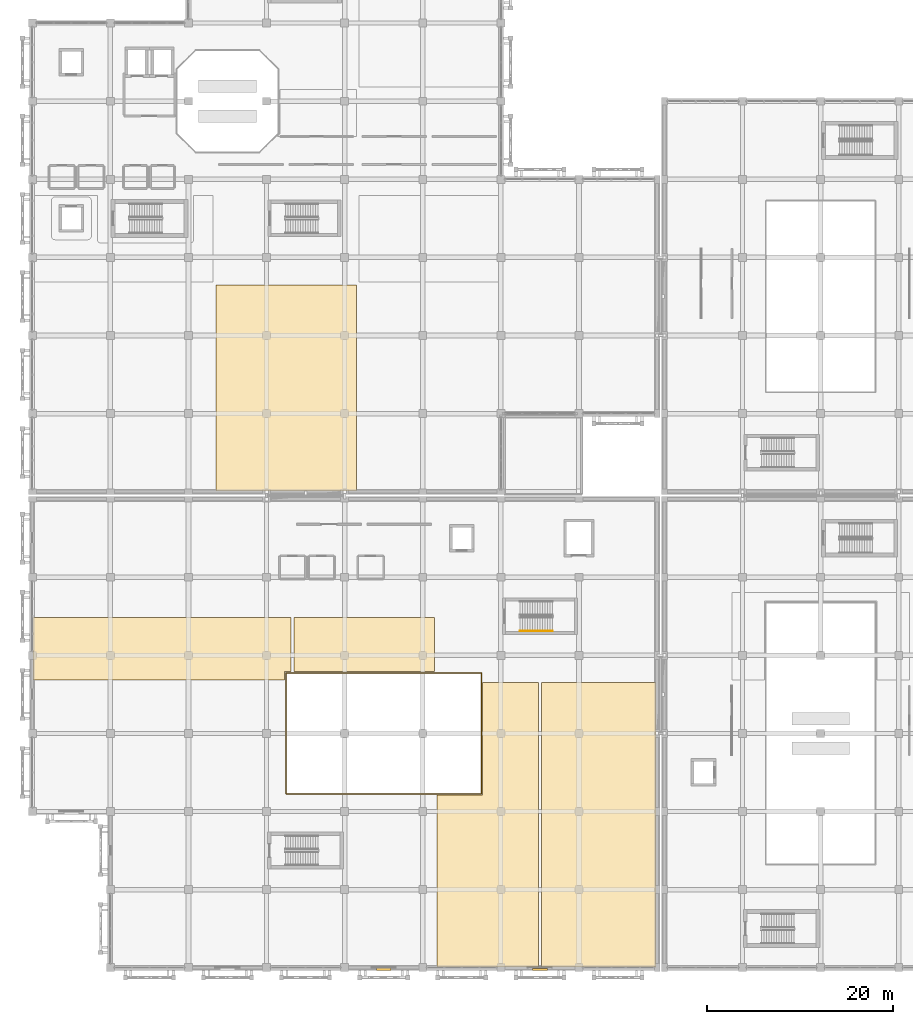
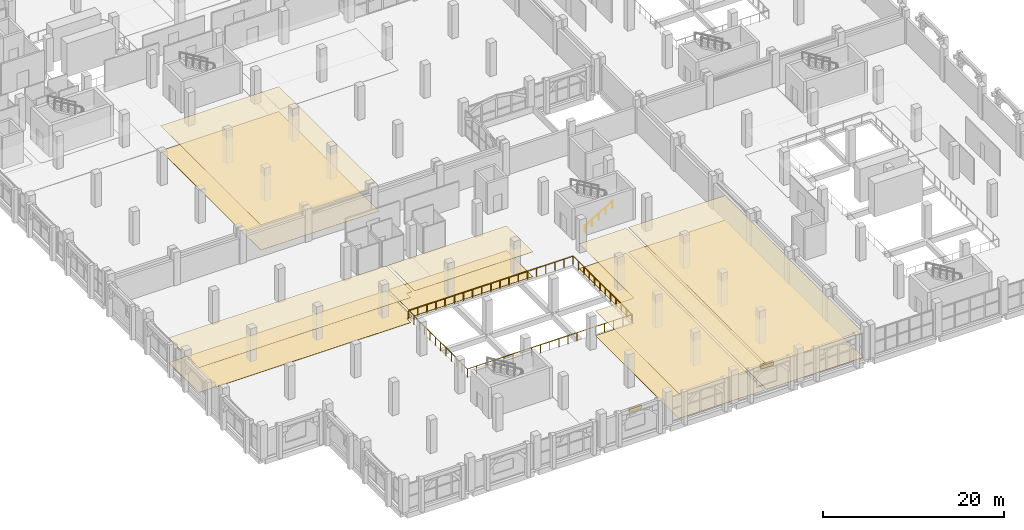
# One storey, part 125 of 137: 10 coverings, 2 railings, 2 shading devices.
"""IFC4 building model written with IfcOpenShell, lengths in metres."""

from ifc_helpers import new_model, si_unit, direction, frame, origin, origin_2d, place, context, subcontext, project, spatial, polyline, rectangle, circle, outline, extrude, material, layer, layer_set, type_object, element, save


model = new_model("IFC4")

# Units and contexts
model_context = context("Model", 3, precision=1e-05, world=origin(), true_north=direction((0.0, 1.0)))
body_context = subcontext(model_context, "Body", "Model", "MODEL_VIEW")
ifc_project = project(units=[si_unit("LENGTHUNIT", "METRE"), si_unit("AREAUNIT", "SQUARE_METRE"), si_unit("VOLUMEUNIT", "CUBIC_METRE"), si_unit("PLANEANGLEUNIT", "RADIAN"), si_unit("MASSUNIT", "GRAM", prefix="KILO")], contexts=[model_context])

# Site, building, storey
site_placement = place(None, origin())
site = spatial("IfcSite", under=ifc_project, at=site_placement, CompositionType="ELEMENT")
building_placement = place(site_placement, origin())
building = spatial("IfcBuilding", under=site, at=building_placement, Name="Xazarin Passage Department Store", CompositionType="ELEMENT")
storey_placement = place(building_placement, frame((0.0, 0.0, 5.39990234375)))
storey = spatial("IfcBuildingStorey", under=building, at=storey_placement, Name="L01", CompositionType="ELEMENT", Elevation=5.39990234375)

# Coverings
ifc_material_1 = material(Name="Acoustic mineral ceiling")
ifc_layer_1 = layer(ifc_material_1, 0.030029296875)
ifc_layer_set_1 = layer_set([ifc_layer_1], Name="Acoustic mineral ceiling")
covering_type_1 = type_object("IfcCoveringType", Name="ARC-COV-CLG030", PredefinedType="CEILING", material=ifc_layer_set_1)
covering_1_placement = place(storey_placement, frame((0.0, 0.0, 3.3701171875)))
element("IfcCovering", 1, at=covering_1_placement, inside=storey, type_object=covering_type_1, Name="L01 Fashion Gallery Acoustic Ceiling", PredefinedType="CEILING", context=body_context, shape_type="SweptSolid", body=[
    extrude(outline(polyline([(19.75, 51.300048828125), (34.85009765625, 51.300048828125), (34.85009765625, 73.449951171875), (19.75, 73.449951171875), (19.75, 51.300048828125)])), origin(), (0.0, 0.0, 1.0), 0.030029296875),
])
covering_2_placement = place(storey_placement, frame((0.0, 0.0, 3.35009765625)))
element("IfcCovering", 2, at=covering_2_placement, inside=storey, type_object=covering_type_1, Name="L01 Tea House Gallery Acoustic Ceiling", PredefinedType="CEILING", context=body_context, shape_type="SweptSolid", body=[
    extrude(outline(polyline([(27.14990234375, 30.949951171875), (27.14990234375, 31.85009765625), (27.85009765625, 31.85009765625), (27.85009765625, 37.64990234375), (0.10009765625, 37.64990234375), (0.10009765625, 30.949951171875), (27.14990234375, 30.949951171875)])), origin(), (0.0, 0.0, 1.0), 0.030029296875),
])
covering_3_placement = place(storey_placement, frame((0.0, 0.0, 3.35009765625)))
element("IfcCovering", 3, at=covering_3_placement, inside=storey, type_object=covering_type_1, Name="L01 Artisan Cheese and Olive Salon Acoustic Ceiling", PredefinedType="CEILING", context=body_context, shape_type="SweptSolid", body=[
    extrude(outline(polyline([(48.449951171875, 18.550048828125), (43.550048828125, 18.550048828125), (43.550048828125, 0.10009765625), (54.449951171875, 0.10009765625), (54.449951171875, 30.64990234375), (48.449951171875, 30.64990234375), (48.449951171875, 18.550048828125)])), origin(), (0.0, 0.0, 1.0), 0.030029296875),
])
ifc_layer_2 = layer(ifc_material_1, 0.0400390625)
ifc_layer_set_2 = layer_set([ifc_layer_2], Name="Acoustic mineral ceiling")
covering_type_2 = type_object("IfcCoveringType", Name="ARC-COV-CLG040", PredefinedType="CEILING", material=ifc_layer_set_2)
covering_4_placement = place(storey_placement, frame((0.0, 0.0, 3.340087890625)))
element("IfcCovering", 4, at=covering_4_placement, inside=storey, type_object=covering_type_2, Name="L01 Culinary Market Acoustic Ceiling", PredefinedType="CEILING", context=body_context, shape_type="SweptSolid", body=[
    extrude(outline(polyline([(28.14990234375, 31.85009765625), (43.25, 31.85009765625), (43.25, 37.64990234375), (28.14990234375, 37.64990234375), (28.14990234375, 31.85009765625)])), origin(), (0.0, 0.0, 1.0), 0.0400390625),
])
covering_5_placement = place(storey_placement, frame((0.0, 0.0, 3.340087890625)))
element("IfcCovering", 5, at=covering_5_placement, inside=storey, type_object=covering_type_2, Name="L01 Tea House Gallery Acoustic Ceiling", PredefinedType="CEILING", context=body_context, shape_type="SweptSolid", body=[
    extrude(outline(polyline([(54.75, 0.10009765625), (67.10009765625, 0.10009765625), (67.10009765625, 30.64990234375), (54.75, 30.64990234375), (54.75, 0.10009765625)])), origin(), (0.0, 0.0, 1.0), 0.0400390625),
])
ifc_material_2 = material(Name="Terrazzo stone flooring", Category="masonry")
ifc_layer_3 = layer(ifc_material_2, 0.02490234375)
ifc_layer_set_3 = layer_set([ifc_layer_3], Name="Terrazzo stone flooring")
covering_type_3 = type_object("IfcCoveringType", Name="ARC-COV-FLR025", PredefinedType="FLOORING", material=ifc_layer_set_3)
covering_6_placement = place(storey_placement, origin())
element("IfcCovering", 6, at=covering_6_placement, inside=storey, type_object=covering_type_3, Name="L01 Fashion Gallery Terrazzo Flooring", PredefinedType="FLOORING", context=body_context, shape_type="SweptSolid", body=[
    extrude(outline(polyline([(19.75, 51.300048828125), (34.85009765625, 51.300048828125), (34.85009765625, 73.449951171875), (19.75, 73.449951171875), (19.75, 51.300048828125)])), origin(), (0.0, 0.0, 1.0), 0.025146484375),
])
covering_7_placement = place(storey_placement, origin())
element("IfcCovering", 7, at=covering_7_placement, inside=storey, type_object=covering_type_3, Name="L01 Tea House Gallery Terrazzo Flooring", PredefinedType="FLOORING", context=body_context, shape_type="SweptSolid", body=[
    extrude(outline(polyline([(27.14990234375, 30.949951171875), (27.14990234375, 31.85009765625), (27.85009765625, 31.85009765625), (27.85009765625, 37.64990234375), (0.10009765625, 37.64990234375), (0.10009765625, 30.949951171875), (27.14990234375, 30.949951171875)])), origin(), (0.0, 0.0, 1.0), 0.025146484375),
])
covering_8_placement = place(storey_placement, origin())
element("IfcCovering", 8, at=covering_8_placement, inside=storey, type_object=covering_type_3, Name="L01 Artisan Cheese and Olive Salon Terrazzo Flooring", PredefinedType="FLOORING", context=body_context, shape_type="SweptSolid", body=[
    extrude(outline(polyline([(48.449951171875, 18.550048828125), (43.550048828125, 18.550048828125), (43.550048828125, 0.10009765625), (54.449951171875, 0.10009765625), (54.449951171875, 30.64990234375), (48.449951171875, 30.64990234375), (48.449951171875, 18.550048828125)])), origin(), (0.0, 0.0, 1.0), 0.025146484375),
])
ifc_layer_4 = layer(ifc_material_2, 0.034912109375)
ifc_layer_set_4 = layer_set([ifc_layer_4], Name="Terrazzo stone flooring")
covering_type_4 = type_object("IfcCoveringType", Name="ARC-COV-FLR035", PredefinedType="FLOORING", material=ifc_layer_set_4)
covering_9_placement = place(storey_placement, origin())
element("IfcCovering", 9, at=covering_9_placement, inside=storey, type_object=covering_type_4, Name="L01 Culinary Market Terrazzo Flooring", PredefinedType="FLOORING", context=body_context, shape_type="SweptSolid", body=[
    extrude(outline(polyline([(28.14990234375, 31.85009765625), (43.25, 31.85009765625), (43.25, 37.64990234375), (28.14990234375, 37.64990234375), (28.14990234375, 31.85009765625)])), origin(), (0.0, 0.0, 1.0), 0.03515625),
])
covering_10_placement = place(storey_placement, origin())
element("IfcCovering", 10, at=covering_10_placement, inside=storey, type_object=covering_type_4, Name="L01 Tea House Gallery Terrazzo Flooring", PredefinedType="FLOORING", context=body_context, shape_type="SweptSolid", body=[
    extrude(outline(polyline([(54.75, 0.10009765625), (67.10009765625, 0.10009765625), (67.10009765625, 30.64990234375), (54.75, 30.64990234375), (54.75, 0.10009765625)])), origin(), (0.0, 0.0, 1.0), 0.03515625),
])

# Railings
ifc_material_3 = material(Name="Low-E laminated safety glass", Category="glass")
railing_type_1 = type_object("IfcRailingType", Name="ARC-RL-BAL115", PredefinedType="BALUSTRADE", material=ifc_material_3)
railing_1_placement = place(storey_placement, frame((27.300048828125, 18.699951171875, 0.0)))
element("IfcRailing", 11, at=railing_1_placement, inside=storey, type_object=railing_type_1, Name="L01 Void Edge Balustrade 0004", PredefinedType="BALUSTRADE", context=body_context, shape_type="SweptSolid", body=[
    extrude(circle(Radius=0.02392578125, at=origin_2d()), frame((0.03125, 0.0, 1.1259765625), z_axis=(1.0, 0.0, 0.0), x_axis=(0.0, 1.0, 0.0)), (0.0, 0.0, 1.0), 20.9375),
    extrude(circle(Radius=0.02392578125, at=origin_2d()), frame((21.0, 0.03125, 1.1259765625), z_axis=(0.0, 1.0, 0.0), x_axis=(-1.0, 0.0, 0.0)), (0.0, 0.0, 1.0), 12.9375),
    extrude(circle(Radius=0.02392578125, at=origin_2d()), frame((20.96875, 13.0, 1.1259765625), z_axis=(-1.0, 0.0, 0.0), x_axis=(0.0, -1.0, 0.0)), (0.0, 0.0, 1.0), 20.9375),
    extrude(circle(Radius=0.02392578125, at=origin_2d()), frame((0.0, 12.96875, 1.1259765625), z_axis=(0.0, -1.0, 0.0), x_axis=(1.0, 0.0, 0.0)), (0.0, 0.0, 1.0), 12.9375),
    extrude(circle(Radius=0.02099609375, at=origin_2d()), origin(), (0.0, 0.0, 1.0), 1.1015625),
    extrude(circle(Radius=0.02099609375, at=origin_2d()), frame((1.166748046875, 0.0, 0.0)), (0.0, 0.0, 1.0), 1.1015625),
    extrude(circle(Radius=0.02099609375, at=origin_2d()), frame((2.333251953125, 0.0, 0.0)), (0.0, 0.0, 1.0), 1.1015625),
    extrude(circle(Radius=0.02099609375, at=origin_2d()), frame((3.5, 0.0, 0.0)), (0.0, 0.0, 1.0), 1.1015625),
    extrude(circle(Radius=0.02099609375, at=origin_2d()), frame((4.666748046875, 0.0, 0.0)), (0.0, 0.0, 1.0), 1.1015625),
    extrude(circle(Radius=0.02099609375, at=origin_2d()), frame((5.833251953125, 0.0, 0.0)), (0.0, 0.0, 1.0), 1.1015625),
    extrude(circle(Radius=0.02099609375, at=origin_2d()), frame((7.0, 0.0, 0.0)), (0.0, 0.0, 1.0), 1.1015625),
    extrude(circle(Radius=0.02099609375, at=origin_2d()), frame((8.166748046875, 0.0, 0.0)), (0.0, 0.0, 1.0), 1.1015625),
    extrude(circle(Radius=0.02099609375, at=origin_2d()), frame((9.333251953125, 0.0, 0.0)), (0.0, 0.0, 1.0), 1.1015625),
    extrude(circle(Radius=0.02099609375, at=origin_2d()), frame((10.5, 0.0, 0.0)), (0.0, 0.0, 1.0), 1.1015625),
    extrude(circle(Radius=0.02099609375, at=origin_2d()), frame((11.666748046875, 0.0, 0.0)), (0.0, 0.0, 1.0), 1.1015625),
    extrude(circle(Radius=0.02099609375, at=origin_2d()), frame((12.833251953125, 0.0, 0.0)), (0.0, 0.0, 1.0), 1.1015625),
    extrude(circle(Radius=0.02099609375, at=origin_2d()), frame((14.0, 0.0, 0.0)), (0.0, 0.0, 1.0), 1.1015625),
    extrude(circle(Radius=0.02099609375, at=origin_2d()), frame((15.166748046875, 0.0, 0.0)), (0.0, 0.0, 1.0), 1.1015625),
    extrude(circle(Radius=0.02099609375, at=origin_2d()), frame((16.333251953125, 0.0, 0.0)), (0.0, 0.0, 1.0), 1.1015625),
    extrude(circle(Radius=0.02099609375, at=origin_2d()), frame((17.5, 0.0, 0.0)), (0.0, 0.0, 1.0), 1.1015625),
    extrude(circle(Radius=0.02099609375, at=origin_2d()), frame((18.666748046875, 0.0, 0.0)), (0.0, 0.0, 1.0), 1.1015625),
    extrude(circle(Radius=0.02099609375, at=origin_2d()), frame((19.833251953125, 0.0, 0.0)), (0.0, 0.0, 1.0), 1.1015625),
    extrude(circle(Radius=0.02099609375, at=origin_2d()), frame((21.0, 0.0, 0.0)), (0.0, 0.0, 1.0), 1.1015625),
    extrude(circle(Radius=0.02099609375, at=origin_2d()), frame((21.0, 1.181884765625, 0.0)), (0.0, 0.0, 1.0), 1.1015625),
    extrude(circle(Radius=0.02099609375, at=origin_2d()), frame((21.0, 2.363525390625, 0.0)), (0.0, 0.0, 1.0), 1.1015625),
    extrude(circle(Radius=0.02099609375, at=origin_2d()), frame((21.0, 3.54541015625, 0.0)), (0.0, 0.0, 1.0), 1.1015625),
    extrude(circle(Radius=0.02099609375, at=origin_2d()), frame((21.0, 4.727294921875, 0.0)), (0.0, 0.0, 1.0), 1.1015625),
    extrude(circle(Radius=0.02099609375, at=origin_2d()), frame((21.0, 5.9091796875, 0.0)), (0.0, 0.0, 1.0), 1.1015625),
    extrude(circle(Radius=0.02099609375, at=origin_2d()), frame((21.0, 7.0908203125, 0.0)), (0.0, 0.0, 1.0), 1.1015625),
    extrude(circle(Radius=0.02099609375, at=origin_2d()), frame((21.0, 8.272705078125, 0.0)), (0.0, 0.0, 1.0), 1.1015625),
    extrude(circle(Radius=0.02099609375, at=origin_2d()), frame((21.0, 9.45458984375, 0.0)), (0.0, 0.0, 1.0), 1.1015625),
    extrude(circle(Radius=0.02099609375, at=origin_2d()), frame((21.0, 10.636474609375, 0.0)), (0.0, 0.0, 1.0), 1.1015625),
    extrude(circle(Radius=0.02099609375, at=origin_2d()), frame((21.0, 11.818115234375, 0.0)), (0.0, 0.0, 1.0), 1.1015625),
    extrude(circle(Radius=0.02099609375, at=origin_2d()), frame((21.0, 13.0, 0.0)), (0.0, 0.0, 1.0), 1.1015625),
    extrude(circle(Radius=0.02099609375, at=origin_2d()), frame((19.833251953125, 13.0, 0.0)), (0.0, 0.0, 1.0), 1.1015625),
    extrude(circle(Radius=0.02099609375, at=origin_2d()), frame((18.666748046875, 13.0, 0.0)), (0.0, 0.0, 1.0), 1.1015625),
    extrude(circle(Radius=0.02099609375, at=origin_2d()), frame((17.5, 13.0, 0.0)), (0.0, 0.0, 1.0), 1.1015625),
    extrude(circle(Radius=0.02099609375, at=origin_2d()), frame((16.333251953125, 13.0, 0.0)), (0.0, 0.0, 1.0), 1.1015625),
    extrude(circle(Radius=0.02099609375, at=origin_2d()), frame((15.166748046875, 13.0, 0.0)), (0.0, 0.0, 1.0), 1.1015625),
    extrude(circle(Radius=0.02099609375, at=origin_2d()), frame((14.0, 13.0, 0.0)), (0.0, 0.0, 1.0), 1.1015625),
    extrude(circle(Radius=0.02099609375, at=origin_2d()), frame((12.833251953125, 13.0, 0.0)), (0.0, 0.0, 1.0), 1.1015625),
    extrude(circle(Radius=0.02099609375, at=origin_2d()), frame((11.666748046875, 13.0, 0.0)), (0.0, 0.0, 1.0), 1.1015625),
    extrude(circle(Radius=0.02099609375, at=origin_2d()), frame((10.5, 13.0, 0.0)), (0.0, 0.0, 1.0), 1.1015625),
    extrude(circle(Radius=0.02099609375, at=origin_2d()), frame((9.333251953125, 13.0, 0.0)), (0.0, 0.0, 1.0), 1.1015625),
    extrude(circle(Radius=0.02099609375, at=origin_2d()), frame((8.166748046875, 13.0, 0.0)), (0.0, 0.0, 1.0), 1.1015625),
    extrude(circle(Radius=0.02099609375, at=origin_2d()), frame((7.0, 13.0, 0.0)), (0.0, 0.0, 1.0), 1.1015625),
    extrude(circle(Radius=0.02099609375, at=origin_2d()), frame((5.833251953125, 13.0, 0.0)), (0.0, 0.0, 1.0), 1.1015625),
    extrude(circle(Radius=0.02099609375, at=origin_2d()), frame((4.666748046875, 13.0, 0.0)), (0.0, 0.0, 1.0), 1.1015625),
    extrude(circle(Radius=0.02099609375, at=origin_2d()), frame((3.5, 13.0, 0.0)), (0.0, 0.0, 1.0), 1.1015625),
    extrude(circle(Radius=0.02099609375, at=origin_2d()), frame((2.333251953125, 13.0, 0.0)), (0.0, 0.0, 1.0), 1.1015625),
    extrude(circle(Radius=0.02099609375, at=origin_2d()), frame((1.166748046875, 13.0, 0.0)), (0.0, 0.0, 1.0), 1.1015625),
    extrude(circle(Radius=0.02099609375, at=origin_2d()), frame((0.0, 13.0, 0.0)), (0.0, 0.0, 1.0), 1.1015625),
    extrude(circle(Radius=0.02099609375, at=origin_2d()), frame((0.0, 11.818115234375, 0.0)), (0.0, 0.0, 1.0), 1.1015625),
    extrude(circle(Radius=0.02099609375, at=origin_2d()), frame((0.0, 10.636474609375, 0.0)), (0.0, 0.0, 1.0), 1.1015625),
    extrude(circle(Radius=0.02099609375, at=origin_2d()), frame((0.0, 9.45458984375, 0.0)), (0.0, 0.0, 1.0), 1.1015625),
    extrude(circle(Radius=0.02099609375, at=origin_2d()), frame((0.0, 8.272705078125, 0.0)), (0.0, 0.0, 1.0), 1.1015625),
    extrude(circle(Radius=0.02099609375, at=origin_2d()), frame((0.0, 7.0908203125, 0.0)), (0.0, 0.0, 1.0), 1.1015625),
    extrude(circle(Radius=0.02099609375, at=origin_2d()), frame((0.0, 5.9091796875, 0.0)), (0.0, 0.0, 1.0), 1.1015625),
    extrude(circle(Radius=0.02099609375, at=origin_2d()), frame((0.0, 4.727294921875, 0.0)), (0.0, 0.0, 1.0), 1.1015625),
    extrude(circle(Radius=0.02099609375, at=origin_2d()), frame((0.0, 3.54541015625, 0.0)), (0.0, 0.0, 1.0), 1.1015625),
    extrude(circle(Radius=0.02099609375, at=origin_2d()), frame((0.0, 2.363525390625, 0.0)), (0.0, 0.0, 1.0), 1.1015625),
    extrude(circle(Radius=0.02099609375, at=origin_2d()), frame((0.0, 1.181884765625, 0.0)), (0.0, 0.0, 1.0), 1.1015625),
])
ifc_material_4 = material(Name="Steel S355", Category="steel")
railing_type_2 = type_object("IfcRailingType", Name="ARC-RL-HND090", PredefinedType="HANDRAIL", material=ifc_material_4)
railing_2_placement = place(storey_placement, frame((52.43994140625, 36.22998046875, 0.160888671875)))
element("IfcRailing", 12, at=railing_2_placement, inside=storey, type_object=railing_type_2, Name="L01 ST9 stair handrail 1", PredefinedType="HANDRAIL", context=body_context, shape_type="SweptSolid", body=[
    extrude(circle(Radius=0.02392578125, at=origin_2d()), frame((0.0, 0.0, 0.8759765625), z_axis=(0.859312273368, 0.0, 0.511451284914), x_axis=(0.0, 1.0, 0.0)), (0.0, 0.0, 1.0), 4.084716796875),
    extrude(circle(Radius=0.02099609375, at=origin_2d()), origin(), (0.0, 0.0, 1.0), 0.8515625),
    extrude(circle(Radius=0.02099609375, at=origin_2d()), frame((0.87744140625, 0.0, 0.522216796875)), (0.0, 0.0, 1.0), 0.8515625),
    extrude(circle(Radius=0.02099609375, at=origin_2d()), frame((1.7548828125, 0.0, 1.04443359375)), (0.0, 0.0, 1.0), 0.8515625),
    extrude(circle(Radius=0.02099609375, at=origin_2d()), frame((2.632568359375, 0.0, 1.56689453125)), (0.0, 0.0, 1.0), 0.8515625),
    extrude(circle(Radius=0.02099609375, at=origin_2d()), frame((3.510009765625, 0.0, 2.089111328125)), (0.0, 0.0, 1.0), 0.8515625),
])

# Shading devices
ifc_material_5 = material(Name="Bronze anodised aluminium", Category="aluminium")
ifc_layer_5 = layer(ifc_material_5, 0.080078125)
ifc_layer_set_5 = layer_set([ifc_layer_5], Name="Bronze anodised aluminium")
shading_device_type = type_object("IfcShadingDeviceType", Name="ARC-SHD-LVR", PredefinedType="JALOUSIE", material=ifc_layer_set_5)
for number, where, z_axis, x_axis, name in (
    (13, (37.800048828125, -0.179931640625, 3.35498046875), (0.0, 0.0, 1.0), (1.0, 0.0, 0.0), "L01 V3 Sun Shading Louvre 12"),
    (14, (54.60009765625, -0.18994140625, 3.35498046875), (0.0, 0.0, 1.0), (1.0, 0.0, 0.0), "L01 V3 Sun Shading Louvre 13"),
):
    element("IfcShadingDevice", number, at=place(storey_placement, frame(where, z_axis=z_axis, x_axis=x_axis)), inside=storey, type_object=shading_device_type, Name=name, PredefinedType="JALOUSIE", context=body_context, shape_type="SweptSolid", body=[
        extrude(rectangle(XDim=1.60009765625, YDim=0.239990234375, at=origin_2d()), origin(), (0.0, 0.0, 1.0), 0.449951171875),
    ])

save(model, "model.ifc")
